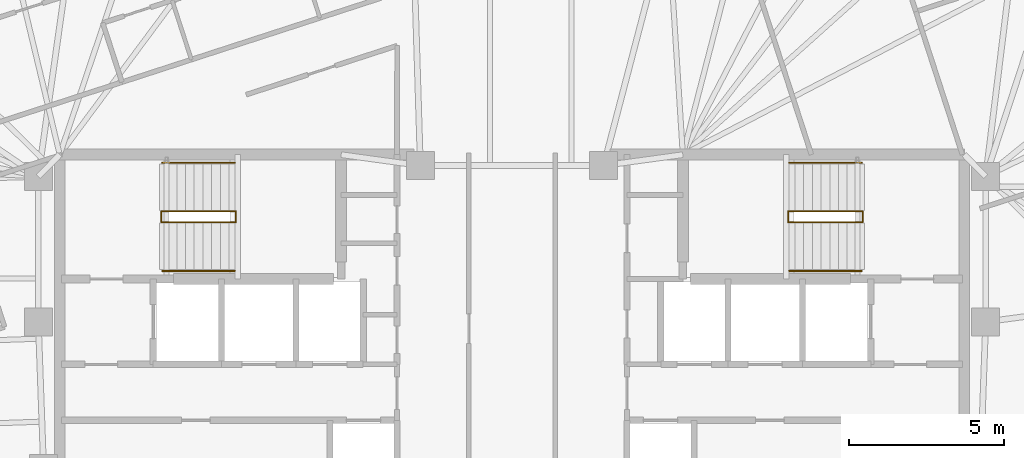
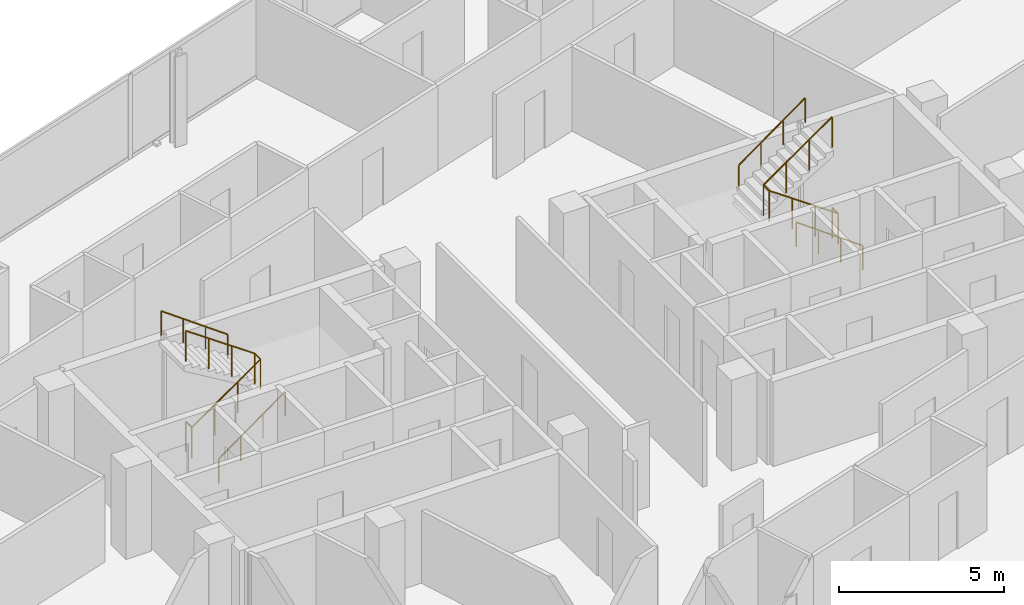
# One storey, part 20 of 20: 6 railings.
"""IFC4 building model written with IfcOpenShell, lengths in metres."""

import ifcopenshell
import ifcopenshell.guid

model = None  # the IFC model being written
_history = None  # IfcOwnerHistory: only IFC2X3 demands one
_inside = {}  # id of a spatial element -> (the spatial element, [elements in it])
_under = {}  # id of a project, library or spatial element -> (it, [spatial elements below it])
_declared = {}  # id of a project -> (the project, [libraries it declares])
_typed = {}  # id of a type object -> (the type object, [elements of that type])
_made_of = {}  # id of a material, layer set ... -> (it, [elements and type objects made of it])


def new_model(schema):
    """Start an empty IFC model of exactly this schema.

    Asked for "IFC4X3", IfcOpenShell would pick the latest addendum, in which some entities
    have other attributes; the version numbers below select the first issue.
    IFC2X3 requires an IfcOwnerHistory on every rooted entity: one is made here for all.
    """
    global model, _history
    if schema == "IFC4X3":
        model = ifcopenshell.file(schema_version=(4, 3, 0, 0))
    else:
        model = ifcopenshell.file(schema=schema)
    _inside.clear()
    _under.clear()
    _declared.clear()
    _typed.clear()
    _made_of.clear()
    _history = None
    if model.schema == "IFC2X3":
        org = make("IfcOrganization", Name="unknown")
        user = make(
            "IfcPersonAndOrganization",
            ThePerson=make("IfcPerson", FamilyName="unknown"),
            TheOrganization=org,
        )
        app = make(
            "IfcApplication",
            ApplicationDeveloper=org,
            Version="unknown",
            ApplicationFullName="unknown",
            ApplicationIdentifier="unknown",
        )
        _history = make(
            "IfcOwnerHistory",
            OwningUser=user,
            OwningApplication=app,
            ChangeAction="ADDED",
            CreationDate=0,
        )
    return model


def make(cls, **values):
    """One entity of the class cls with the attributes given. An attribute that is None is left unset."""
    return model.create_entity(
        cls, **{name: value for name, value in values.items() if value is not None}
    )


def rooted(cls, **values):
    """An entity with a GlobalId (a new one), such as an element, a storey or a relation."""
    return make(cls, GlobalId=ifcopenshell.guid.new(), OwnerHistory=_history, **values)


def si_unit(unit_type, name, prefix=None):
    """IfcSIUnit, for example si_unit("LENGTHUNIT", "METRE", prefix="MILLI")."""
    return make("IfcSIUnit", UnitType=unit_type, Prefix=prefix, Name=name)


def assignment(units):
    """IfcUnitAssignment: the units of a project."""
    return None if units is None else make("IfcUnitAssignment", Units=units)


def point(xyz):
    """IfcCartesianPoint."""
    return None if xyz is None else make("IfcCartesianPoint", Coordinates=xyz)


def direction(xyz):
    """IfcDirection."""
    return None if xyz is None else make("IfcDirection", DirectionRatios=xyz)


def frame(location, z_axis=None, x_axis=None):
    """IfcAxis2Placement3D, a coordinate frame: its origin and axes. An axis left out is left unset."""
    return make(
        "IfcAxis2Placement3D",
        Location=point(location),
        Axis=direction(z_axis),
        RefDirection=direction(x_axis),
    )


def frame_2d(location, x_axis=None):
    """IfcAxis2Placement2D, a coordinate frame in the plane: its origin and x axis."""
    return make(
        "IfcAxis2Placement2D", Location=point(location), RefDirection=direction(x_axis)
    )


def origin():
    """The frame at (0, 0, 0) with its axes left unset."""
    return frame((0.0, 0.0, 0.0))


def origin_2d():
    """The frame at (0, 0) in the plane with its x axis left unset."""
    return frame_2d((0.0, 0.0))


def place(relative_to, where):
    """IfcLocalPlacement: puts the frame where relative to a parent placement (None: the world)."""
    return make(
        "IfcLocalPlacement", PlacementRelTo=relative_to, RelativePlacement=where
    )


def context(
    kind, dimensions, precision=None, world=None, true_north=None, identifier=None
):
    """IfcGeometricRepresentationContext, for example the 3D "Model" context."""
    return make(
        "IfcGeometricRepresentationContext",
        ContextIdentifier=identifier,
        ContextType=kind,
        CoordinateSpaceDimension=dimensions,
        Precision=precision,
        WorldCoordinateSystem=world,
        TrueNorth=true_north,
    )


def subcontext(parent, identifier, kind, view, scale=None):
    """IfcGeometricRepresentationSubContext, for example "Body" below "Model"."""
    return make(
        "IfcGeometricRepresentationSubContext",
        ContextIdentifier=identifier,
        ContextType=kind,
        ParentContext=parent,
        TargetScale=scale,
        TargetView=view,
    )


def project(units=None, contexts=None):
    """IfcProject with its units and contexts."""
    return rooted(
        "IfcProject",
        Name="project",
        RepresentationContexts=contexts,
        UnitsInContext=assignment(units),
    )


def spatial(cls, under=None, at=None, **own):
    """A site, building, storey or space (cls), placed at a placement, below another one or the project."""
    s = rooted(cls, ObjectPlacement=at, **own)
    if under is not None:
        _under.setdefault(under.id(), (under, []))[1].append(s)
    return s


def profile(cls, at=None, kind="AREA", **sizes):
    """A parametric profile (cls). Its sizes go by their IFC names, for example OverallWidth=200.0."""
    return make(cls, ProfileType=kind, Position=at, **sizes)


def circle(**sizes):
    """IfcCircleProfileDef."""
    return profile("IfcCircleProfileDef", **sizes)


def extrude(swept, where, along, depth):
    """IfcExtrudedAreaSolid: the profile swept, set in the frame where, extruded along a direction by depth."""
    return make(
        "IfcExtrudedAreaSolid",
        SweptArea=swept,
        Position=where,
        ExtrudedDirection=direction(along),
        Depth=depth,
    )


def shape(context_of_items, identifier, shape_type, items):
    """IfcShapeRepresentation: the items that make up one representation, for example the "Body"."""
    return make(
        "IfcShapeRepresentation",
        ContextOfItems=context_of_items,
        RepresentationIdentifier=identifier,
        RepresentationType=shape_type,
        Items=items,
    )


def material(Name=None, Category=None):
    """IfcMaterial."""
    return make("IfcMaterial", Name=Name, Category=Category)


def made_of(thing, what):
    """Note that an element or type object is made of a material, layer set ...; save() writes the relation."""
    if what is not None:
        _made_of.setdefault(what.id(), (what, []))[1].append(thing)
    return thing


def type_object(cls, material=None, **own):
    """A type object (cls), such as IfcWallType, which elements share."""
    return made_of(rooted(cls, **own), material)


def element(
    cls,
    number,
    at=None,
    inside=None,
    cuts=None,
    type_object=None,
    material=None,
    context=None,
    identifier="Body",
    shape_type=None,
    held_by="IfcProductDefinitionShape",
    body=None,
    shapes=None,
    **own,
):
    """One element of the class cls, such as IfcWall. Its Tag is "e" and its number.

    at: its placement. inside: the storey or other place that contains it. cuts: it is an
    opening in that element (IfcRelVoidsElement). A single representation is given by context,
    identifier, shape_type and body (its items); several are given by shapes. held_by: the class
    of the entity that holds the representations. save() writes the other relations.
    """
    e = rooted(cls, Tag="e%d" % number, ObjectPlacement=at, **own)
    if body is not None:
        shapes = [shape(context, identifier, shape_type, body)]
    if shapes is not None:
        e.Representation = make(held_by, Representations=shapes)
    if inside is not None:
        _inside.setdefault(inside.id(), (inside, []))[1].append(e)
    if cuts is not None:
        rooted(
            "IfcRelVoidsElement", RelatingBuildingElement=cuts, RelatedOpeningElement=e
        )
    if type_object is not None:
        _typed.setdefault(type_object.id(), (type_object, []))[1].append(e)
    return made_of(e, material)


def aggregate(whole, parts):
    """IfcRelAggregates: a whole, such as a stair, and the parts it consists of."""
    return rooted("IfcRelAggregates", RelatingObject=whole, RelatedObjects=parts)


def save(model, path):
    """Write the relations noted so far, then the file.

    IfcRelAggregates (storeys below a building ...), IfcRelContainedInSpatialStructure (elements
    in a storey), IfcRelDefinesByType, IfcRelAssociatesMaterial and IfcRelDeclares: one each for
    every whole, place, type object, material and project.
    """
    for whole, parts in _under.values():
        aggregate(whole, parts)
    for where, things in _inside.values():
        rooted(
            "IfcRelContainedInSpatialStructure",
            RelatedElements=things,
            RelatingStructure=where,
        )
    for kind, things in _typed.values():
        rooted("IfcRelDefinesByType", RelatedObjects=things, RelatingType=kind)
    for what, things in _made_of.values():
        rooted("IfcRelAssociatesMaterial", RelatedObjects=things, RelatingMaterial=what)
    for by, libraries in _declared.values():
        rooted("IfcRelDeclares", RelatingContext=by, RelatedDefinitions=libraries)
    model.write(path)


model = new_model("IFC4")

# Units and contexts
model_context = context("Model", 3, precision=1e-05, world=origin(), true_north=direction((0.0, 1.0)))
body_context = subcontext(model_context, "Body", "Model", "MODEL_VIEW")
ifc_project = project(units=[si_unit("LENGTHUNIT", "METRE"), si_unit("AREAUNIT", "SQUARE_METRE"), si_unit("VOLUMEUNIT", "CUBIC_METRE"), si_unit("PLANEANGLEUNIT", "RADIAN"), si_unit("MASSUNIT", "GRAM", prefix="KILO")], contexts=[model_context])

# Site, building, storey
site_placement = place(None, origin())
site = spatial("IfcSite", under=ifc_project, at=site_placement, CompositionType="ELEMENT")
building_placement = place(site_placement, origin())
building = spatial("IfcBuilding", under=site, at=building_placement, Name="Menara Jurai Vektor", CompositionType="ELEMENT")
storey_placement = place(building_placement, frame((0.0, 0.0, 237.699951171875)))
storey = spatial("IfcBuildingStorey", under=building, at=storey_placement, Name="L63", CompositionType="ELEMENT", Elevation=237.699951171875)

# Railings
ifc_material_1 = material(Name="Painted Galvanised Steel Balustrade", Category="steel")
railing_type_1 = type_object("IfcRailingType", Name="RAIL-STAIR-GUARD", PredefinedType="GUARDRAIL", material=ifc_material_1)
railing_1_placement = place(storey_placement, frame((-11.2900390625, 3.780029296875, 0.0)))
element("IfcRailing", 1, at=railing_1_placement, inside=storey, type_object=railing_type_1, Name="ST1 Stair Guardrail 1 L63", PredefinedType="GUARDRAIL", context=body_context, shape_type="SweptSolid", body=[
    extrude(circle(Radius=0.02392578125, at=origin_2d()), frame((0.0, 0.0, 1.1259765625), z_axis=(0.0, -1.0, 0.0), x_axis=(1.0, 0.0, 0.0)), (0.0, 0.0, 1.0), 0.360107421875),
    extrude(circle(Radius=0.02392578125, at=origin_2d()), frame((0.0, -0.360107421875, 1.1259765625), z_axis=(0.820042287322, 0.0, 0.572302932898), x_axis=(0.0, 1.0, 0.0)), (0.0, 0.0, 1.0), 2.9267578125),
    extrude(circle(Radius=0.02392578125, at=origin_2d()), frame((2.400146484375, -0.360107421875, 2.80078125), z_axis=(0.0, 1.0, 0.0), x_axis=(-1.0, 0.0, 0.0)), (0.0, 0.0, 1.0), 0.360107421875),
    extrude(circle(Radius=0.02392578125, at=origin_2d()), frame((2.400146484375, 0.0, 2.80078125), z_axis=(-0.820042287322, 0.0, 0.572302932898), x_axis=(0.0, -1.0, 0.0)), (0.0, 0.0, 1.0), 2.9267578125),
    extrude(circle(Radius=0.02099609375, at=origin_2d()), origin(), (0.0, 0.0, 1.0), 1.101806640625),
    extrude(circle(Radius=0.02099609375, at=origin_2d()), frame((0.0, -0.360107421875, 0.0)), (0.0, 0.0, 1.0), 1.101806640625),
    extrude(circle(Radius=0.02099609375, at=origin_2d()), frame((0.800048828125, -0.360107421875, 0.558349609375)), (0.0, 0.0, 1.0), 1.101806640625),
    extrude(circle(Radius=0.02099609375, at=origin_2d()), frame((1.60009765625, -0.360107421875, 1.11669921875)), (0.0, 0.0, 1.0), 1.101806640625),
    extrude(circle(Radius=0.02099609375, at=origin_2d()), frame((2.400146484375, -0.360107421875, 1.675048828125)), (0.0, 0.0, 1.0), 1.101806640625),
    extrude(circle(Radius=0.02099609375, at=origin_2d()), frame((2.400146484375, 0.0, 1.675048828125)), (0.0, 0.0, 1.0), 1.101806640625),
    extrude(circle(Radius=0.02099609375, at=origin_2d()), frame((1.60009765625, 0.0, 2.2333984375)), (0.0, 0.0, 1.0), 1.101806640625),
    extrude(circle(Radius=0.02099609375, at=origin_2d()), frame((0.800048828125, 0.0, 2.791748046875)), (0.0, 0.0, 1.0), 1.101806640625),
    extrude(circle(Radius=0.02099609375, at=origin_2d()), frame((0.0, 0.0, 3.35009765625)), (0.0, 0.0, 1.0), 1.101806640625),
])
railing_2_placement = place(storey_placement, frame((11.2900390625, 3.780029296875, 0.0)))
element("IfcRailing", 2, at=railing_2_placement, inside=storey, type_object=railing_type_1, Name="ST2 Stair Guardrail 1 L63", PredefinedType="GUARDRAIL", context=body_context, shape_type="SweptSolid", body=[
    extrude(circle(Radius=0.02392578125, at=origin_2d()), frame((0.0, 0.0, 1.1259765625), z_axis=(0.0, -1.0, 0.0), x_axis=(1.0, 0.0, 0.0)), (0.0, 0.0, 1.0), 0.360107421875),
    extrude(circle(Radius=0.02392578125, at=origin_2d()), frame((0.0, -0.360107421875, 1.1259765625), z_axis=(-0.820042287322, 0.0, 0.572302932898), x_axis=(0.0, -1.0, 0.0)), (0.0, 0.0, 1.0), 2.9267578125),
    extrude(circle(Radius=0.02392578125, at=origin_2d()), frame((-2.400146484375, -0.360107421875, 2.80078125), z_axis=(0.0, 1.0, 0.0), x_axis=(-1.0, 0.0, 0.0)), (0.0, 0.0, 1.0), 0.360107421875),
    extrude(circle(Radius=0.02392578125, at=origin_2d()), frame((-2.400146484375, 0.0, 2.80078125), z_axis=(0.820042287322, 0.0, 0.572302932898), x_axis=(0.0, 1.0, 0.0)), (0.0, 0.0, 1.0), 2.9267578125),
    extrude(circle(Radius=0.02099609375, at=origin_2d()), origin(), (0.0, 0.0, 1.0), 1.101806640625),
    extrude(circle(Radius=0.02099609375, at=origin_2d()), frame((0.0, -0.360107421875, 0.0)), (0.0, 0.0, 1.0), 1.101806640625),
    extrude(circle(Radius=0.02099609375, at=origin_2d()), frame((-0.800048828125, -0.360107421875, 0.558349609375)), (0.0, 0.0, 1.0), 1.101806640625),
    extrude(circle(Radius=0.02099609375, at=origin_2d()), frame((-1.60009765625, -0.360107421875, 1.11669921875)), (0.0, 0.0, 1.0), 1.101806640625),
    extrude(circle(Radius=0.02099609375, at=origin_2d()), frame((-2.400146484375, -0.360107421875, 1.675048828125)), (0.0, 0.0, 1.0), 1.101806640625),
    extrude(circle(Radius=0.02099609375, at=origin_2d()), frame((-2.400146484375, 0.0, 1.675048828125)), (0.0, 0.0, 1.0), 1.101806640625),
    extrude(circle(Radius=0.02099609375, at=origin_2d()), frame((-1.60009765625, 0.0, 2.2333984375)), (0.0, 0.0, 1.0), 1.101806640625),
    extrude(circle(Radius=0.02099609375, at=origin_2d()), frame((-0.800048828125, 0.0, 2.791748046875)), (0.0, 0.0, 1.0), 1.101806640625),
    extrude(circle(Radius=0.02099609375, at=origin_2d()), frame((0.0, 0.0, 3.35009765625)), (0.0, 0.0, 1.0), 1.101806640625),
])
ifc_material_2 = material(Name="Brushed Stainless Steel Handrail", Category="steel")
railing_type_2 = type_object("IfcRailingType", Name="RAIL-STAIR-HAND", PredefinedType="HANDRAIL", material=ifc_material_2)
railing_3_placement = place(storey_placement, frame((-11.25, 1.860107421875, 0.0)))
element("IfcRailing", 3, at=railing_3_placement, inside=storey, type_object=railing_type_2, Name="ST1 Stair Handrail 1 L63", PredefinedType="HANDRAIL", context=body_context, shape_type="SweptSolid", body=[
    extrude(circle(Radius=0.02392578125, at=origin_2d()), frame((0.0, 0.0, 0.89599609375), z_axis=(0.810771458067, 0.0, 0.585362830032), x_axis=(0.0, 1.0, 0.0)), (0.0, 0.0, 1.0), 2.861572265625),
    extrude(circle(Radius=0.02099609375, at=origin_2d()), origin(), (0.0, 0.0, 1.0), 0.871826171875),
    extrude(circle(Radius=0.02099609375, at=origin_2d()), frame((0.7734375, 0.0, 0.558349609375)), (0.0, 0.0, 1.0), 0.871826171875),
    extrude(circle(Radius=0.02099609375, at=origin_2d()), frame((1.546630859375, 0.0, 1.11669921875)), (0.0, 0.0, 1.0), 0.871826171875),
    extrude(circle(Radius=0.02099609375, at=origin_2d()), frame((2.320068359375, 0.0, 1.675048828125)), (0.0, 0.0, 1.0), 0.871826171875),
])
for number, where, name in (
    (4, (-8.929931640625, 5.340087890625, 1.675048828125), "ST1 Stair Handrail 2 L63"),
    (5, (11.25, 1.860107421875, 0.0), "ST2 Stair Handrail 1 L63"),
):
    element("IfcRailing", number, at=place(storey_placement, frame(where)), inside=storey, type_object=railing_type_2, Name=name, PredefinedType="HANDRAIL", context=body_context, shape_type="SweptSolid", body=[
        extrude(circle(Radius=0.02392578125, at=origin_2d()), frame((0.0, 0.0, 0.89599609375), z_axis=(-0.810771458067, 0.0, 0.585362830032), x_axis=(0.0, -1.0, 0.0)), (0.0, 0.0, 1.0), 2.861572265625),
        extrude(circle(Radius=0.02099609375, at=origin_2d()), origin(), (0.0, 0.0, 1.0), 0.871826171875),
        extrude(circle(Radius=0.02099609375, at=origin_2d()), frame((-0.7734375, 0.0, 0.558349609375)), (0.0, 0.0, 1.0), 0.871826171875),
        extrude(circle(Radius=0.02099609375, at=origin_2d()), frame((-1.546630859375, 0.0, 1.11669921875)), (0.0, 0.0, 1.0), 0.871826171875),
        extrude(circle(Radius=0.02099609375, at=origin_2d()), frame((-2.320068359375, 0.0, 1.675048828125)), (0.0, 0.0, 1.0), 0.871826171875),
    ])
railing_4_placement = place(storey_placement, frame((8.929931640625, 5.340087890625, 1.675048828125)))
element("IfcRailing", 6, at=railing_4_placement, inside=storey, type_object=railing_type_2, Name="ST2 Stair Handrail 2 L63", PredefinedType="HANDRAIL", context=body_context, shape_type="SweptSolid", body=[
    extrude(circle(Radius=0.02392578125, at=origin_2d()), frame((0.0, 0.0, 0.89599609375), z_axis=(0.810771458067, 0.0, 0.585362830032), x_axis=(0.0, 1.0, 0.0)), (0.0, 0.0, 1.0), 2.861572265625),
    extrude(circle(Radius=0.02099609375, at=origin_2d()), origin(), (0.0, 0.0, 1.0), 0.871826171875),
    extrude(circle(Radius=0.02099609375, at=origin_2d()), frame((0.7734375, 0.0, 0.558349609375)), (0.0, 0.0, 1.0), 0.871826171875),
    extrude(circle(Radius=0.02099609375, at=origin_2d()), frame((1.546630859375, 0.0, 1.11669921875)), (0.0, 0.0, 1.0), 0.871826171875),
    extrude(circle(Radius=0.02099609375, at=origin_2d()), frame((2.320068359375, 0.0, 1.675048828125)), (0.0, 0.0, 1.0), 0.871826171875),
])

save(model, "model.ifc")
